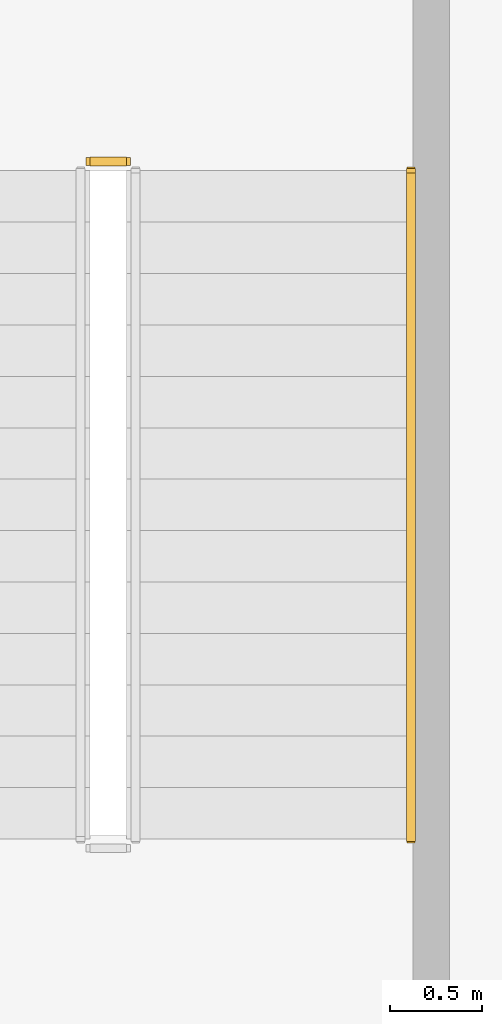
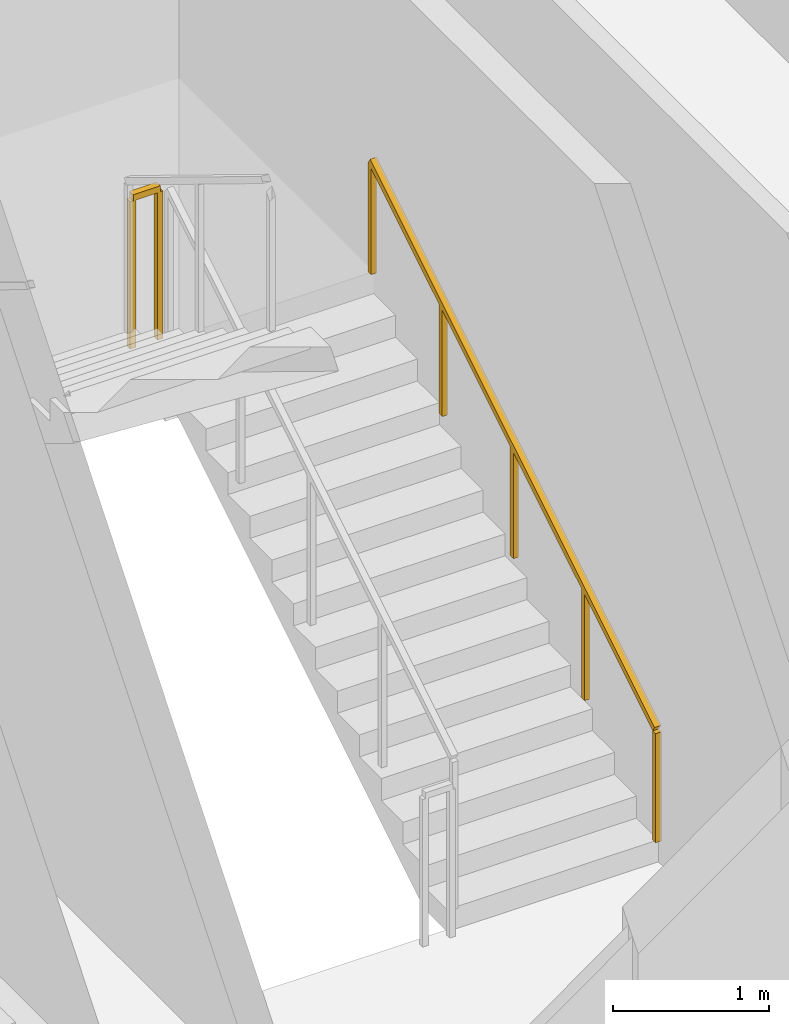
# One storey, part 13 of 14: 2 railings.
"""IFC4 building model written with IfcOpenShell, lengths in metres."""

from ifc_helpers import new_model, si_unit, direction, frame, origin, origin_2d, place, context, subcontext, project, spatial, rectangle, extrude, material, type_object, element, save


model = new_model("IFC4")

# Units and contexts
model_context = context("Model", 3, precision=1e-05, world=origin(), true_north=direction((0.0, 1.0)))
body_context = subcontext(model_context, "Body", "Model", "MODEL_VIEW")
ifc_project = project(units=[si_unit("LENGTHUNIT", "METRE"), si_unit("AREAUNIT", "SQUARE_METRE"), si_unit("VOLUMEUNIT", "CUBIC_METRE"), si_unit("PLANEANGLEUNIT", "RADIAN"), si_unit("MASSUNIT", "GRAM", prefix="KILO")], contexts=[model_context])

# Site, building, storey
site_placement = place(None, origin())
site = spatial("IfcSite", under=ifc_project, at=site_placement, CompositionType="ELEMENT")
building_placement = place(site_placement, origin())
building = spatial("IfcBuilding", under=site, at=building_placement, Name="Giltprow Tower", CompositionType="ELEMENT")
storey_placement = place(building_placement, frame((0.0, 0.0, 5.60009765625)))
storey = spatial("IfcBuildingStorey", under=building, at=storey_placement, Name="L02", CompositionType="ELEMENT", Elevation=5.60009765625)

# Railings
ifc_material = material(Name="Anodized bronze", Category="metal")
railing_type_1 = type_object("IfcRailingType", Name="RAIL-STAIR-GUARD-1200", PredefinedType="GUARDRAIL", material=ifc_material)
railing_1_placement = place(storey_placement, frame((53.60009765625, 43.43994140625, 2.39990234375)))
element("IfcRailing", 1, at=railing_1_placement, inside=storey, type_object=railing_type_1, Name="L02 ST-P2 stair guard 2", PredefinedType="GUARDRAIL", context=body_context, shape_type="SweptSolid", body=[
    extrude(rectangle(XDim=0.048095703125, YDim=0.048095703125, at=origin_2d()), frame((0.0, 0.0, 1.17578125), z_axis=(-1.0, 0.0, 0.0), x_axis=(0.0, -1.0, 0.0)), (0.0, 0.0, 1.0), 0.2001953125),
    extrude(rectangle(XDim=0.0419921875, YDim=0.0419921875, at=origin_2d()), origin(), (0.0, 0.0, 1.0), 1.15185546875),
    extrude(rectangle(XDim=0.0419921875, YDim=0.0419921875, at=origin_2d()), frame((-0.2001953125, 0.0, 0.0)), (0.0, 0.0, 1.0), 1.15185546875),
])
railing_type_2 = type_object("IfcRailingType", Name="RAIL-STAIR-HAND-900", PredefinedType="HANDRAIL", material=ifc_material)
railing_2_placement = place(storey_placement, frame((55.14990234375, 39.75, 0.17138671875)))
element("IfcRailing", 2, at=railing_2_placement, inside=storey, type_object=railing_type_2, Name="L02 ST-P2 stair handrail 1", PredefinedType="HANDRAIL", context=body_context, shape_type="SweptSolid", body=[
    extrude(rectangle(XDim=0.048095703125, YDim=0.048095703125, at=origin_2d()), frame((0.0, 0.0, 0.8759765625), z_axis=(0.0, 0.852850264322, 0.5221555579), x_axis=(-1.0, 0.0, 0.0)), (0.0, 0.0, 1.0), 4.267822265625),
    extrude(rectangle(XDim=0.0419921875, YDim=0.0419921875, at=origin_2d()), origin(), (0.0, 0.0, 1.0), 0.851806640625),
    extrude(rectangle(XDim=0.0419921875, YDim=0.0419921875, at=origin_2d()), frame((0.0, 0.909912109375, 0.55712890625)), (0.0, 0.0, 1.0), 0.851806640625),
    extrude(rectangle(XDim=0.0419921875, YDim=0.0419921875, at=origin_2d()), frame((0.0, 1.81982421875, 1.1142578125)), (0.0, 0.0, 1.0), 0.851806640625),
    extrude(rectangle(XDim=0.0419921875, YDim=0.0419921875, at=origin_2d()), frame((0.0, 2.72998046875, 1.67138671875)), (0.0, 0.0, 1.0), 0.851806640625),
    extrude(rectangle(XDim=0.0419921875, YDim=0.0419921875, at=origin_2d()), frame((0.0, 3.639892578125, 2.228515625)), (0.0, 0.0, 1.0), 0.851806640625),
])

save(model, "model.ifc")
